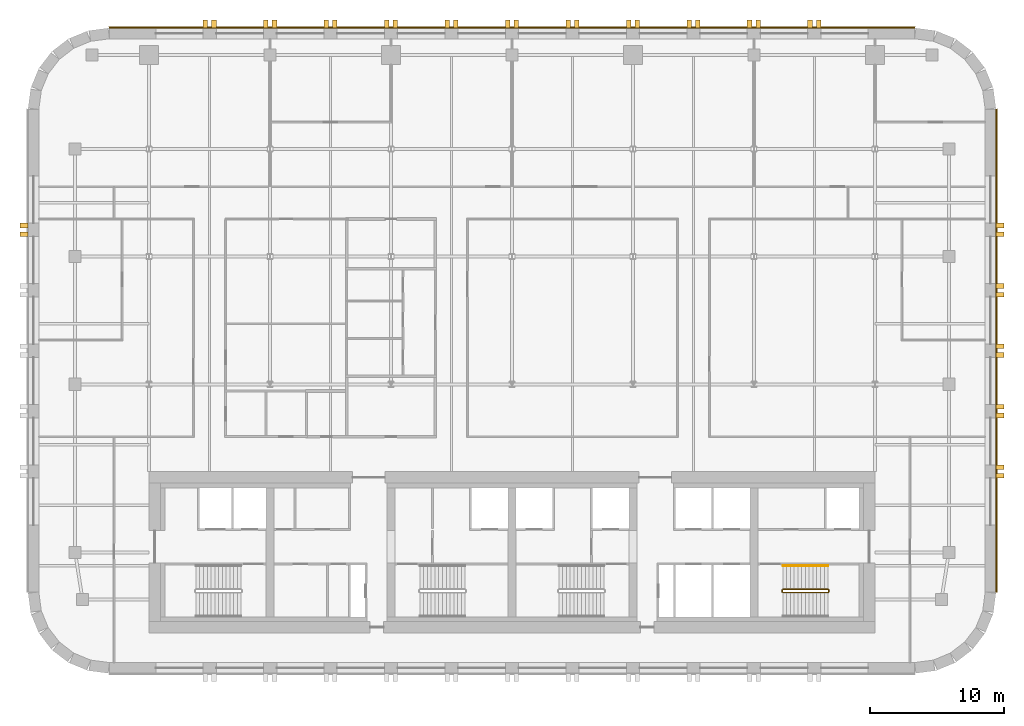
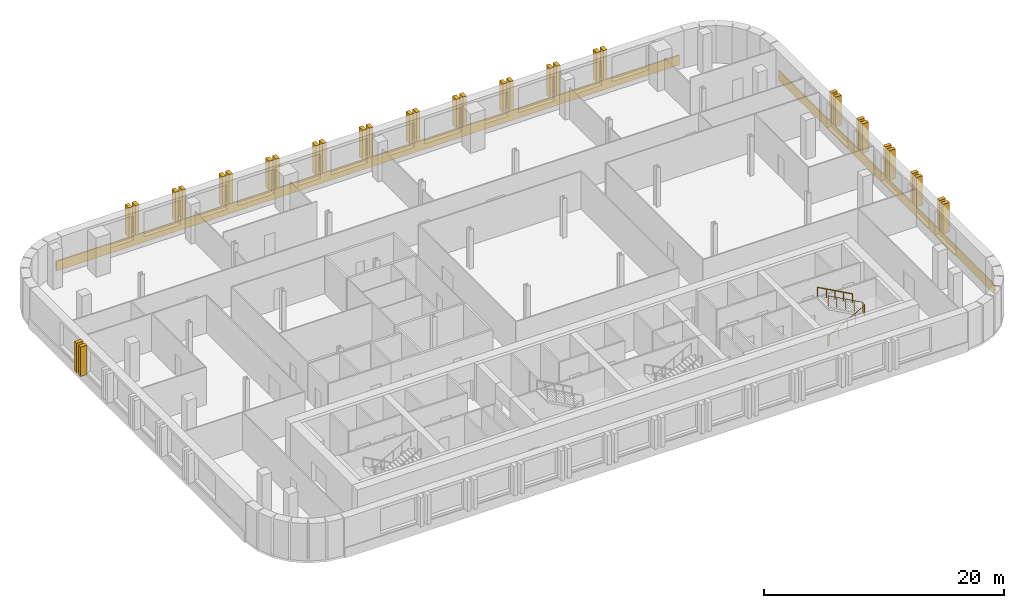
# One storey, part 10 of 10: 36 coverings, 2 railings.
"""IFC4 building model written with IfcOpenShell, lengths in metres."""

from ifc_helpers import new_model, si_unit, direction, frame, origin, origin_2d, place, context, subcontext, project, spatial, polyline, circle, outline, extrude, material, layer, layer_set, type_object, element, save


model = new_model("IFC4")

# Units and contexts
model_context = context("Model", 3, precision=1e-05, world=origin(), true_north=direction((0.0, 1.0)))
body_context = subcontext(model_context, "Body", "Model", "MODEL_VIEW")
ifc_project = project(units=[si_unit("LENGTHUNIT", "METRE"), si_unit("AREAUNIT", "SQUARE_METRE"), si_unit("VOLUMEUNIT", "CUBIC_METRE"), si_unit("PLANEANGLEUNIT", "RADIAN"), si_unit("MASSUNIT", "GRAM", prefix="KILO")], contexts=[model_context])

# Site, building, storey
site_placement = place(None, origin())
site = spatial("IfcSite", under=ifc_project, at=site_placement, CompositionType="ELEMENT")
building_placement = place(site_placement, origin())
building = spatial("IfcBuilding", under=site, at=building_placement, Name="Zellij Exchange Tower", CompositionType="ELEMENT")
storey_placement = place(building_placement, frame((0.0, 0.0, 168.5)))
storey = spatial("IfcBuildingStorey", under=building, at=storey_placement, Name="L38", CompositionType="ELEMENT", Elevation=168.5)

# Railings
ifc_material_1 = material(Name="Stainless steel", Category="steel")
railing_type_1 = type_object("IfcRailingType", Name="CORE-RG stair guard", PredefinedType="GUARDRAIL", material=ifc_material_1)
railing_1_placement = place(storey_placement, frame((20.10009765625, -10.949951171875, 0.0)))
element("IfcRailing", 1, at=railing_1_placement, inside=storey, type_object=railing_type_1, Name="ST4 stair guard L38", PredefinedType="GUARDRAIL", context=body_context, shape_type="SweptSolid", body=[
    extrude(circle(Radius=0.02392578125, at=origin_2d()), frame((0.0, 0.0, 1.076171875), z_axis=(0.0, 1.0, 0.0), x_axis=(-1.0, 0.0, 0.0)), (0.0, 0.0, 1.0), 0.14990234375),
    extrude(circle(Radius=0.02392578125, at=origin_2d()), frame((0.0, 0.14990234375, 1.076171875), z_axis=(0.193691321961, -0.777613689637, 0.598164376644), x_axis=(0.970351222016, 0.241699205484, 0.0)), (0.0, 0.0, 1.0), 0.257080078125),
    extrude(circle(Radius=0.02392578125, at=origin_2d()), frame((0.0498046875, -0.050048828125, 1.22998046875), z_axis=(0.876421534553, 0.0, 0.481544695509), x_axis=(0.0, 1.0, 0.0)), (0.0, 0.0, 1.0), 3.833984375),
    extrude(circle(Radius=0.02392578125, at=origin_2d()), frame((3.409912109375, -0.050048828125, 3.076171875), z_axis=(0.707106781187, 0.707106781187, 0.0), x_axis=(-0.707106781187, 0.707106781187, 0.0)), (0.0, 0.0, 1.0), 0.07080078125),
    extrude(circle(Radius=0.02392578125, at=origin_2d()), frame((3.4599609375, 0.0, 3.076171875), z_axis=(0.0, 1.0, 0.0), x_axis=(-1.0, 0.0, 0.0)), (0.0, 0.0, 1.0), 0.14990234375),
    extrude(circle(Radius=0.02392578125, at=origin_2d()), frame((3.4599609375, 0.14990234375, 3.076171875), z_axis=(-0.295599637079, 0.295599637079, 0.908428152975), x_axis=(-0.707106781187, -0.707106781187, 0.0)), (0.0, 0.0, 1.0), 0.16943359375),
    extrude(circle(Radius=0.02392578125, at=origin_2d()), frame((3.409912109375, 0.199951171875, 3.22998046875), z_axis=(-0.876421534553, 0.0, 0.481544695509), x_axis=(0.0, -1.0, 0.0)), (0.0, 0.0, 1.0), 3.833984375),
    extrude(circle(Radius=0.02099609375, at=origin_2d()), origin(), (0.0, 0.0, 1.0), 1.052001953125),
    extrude(circle(Radius=0.02099609375, at=origin_2d()), frame((0.0, 0.14990234375, 0.0)), (0.0, 0.0, 1.0), 1.052001953125),
    extrude(circle(Radius=0.02099609375, at=origin_2d()), frame((0.0498046875, -0.050048828125, 0.15380859375)), (0.0, 0.0, 1.0), 1.052001953125),
    extrude(circle(Radius=0.02099609375, at=origin_2d()), frame((0.889892578125, -0.050048828125, 0.615234375)), (0.0, 0.0, 1.0), 1.052001953125),
    extrude(circle(Radius=0.02099609375, at=origin_2d()), frame((1.72998046875, -0.050048828125, 1.076904296875)), (0.0, 0.0, 1.0), 1.052001953125),
    extrude(circle(Radius=0.02099609375, at=origin_2d()), frame((2.56982421875, -0.050048828125, 1.53857421875)), (0.0, 0.0, 1.0), 1.052001953125),
    extrude(circle(Radius=0.02099609375, at=origin_2d()), frame((3.409912109375, -0.050048828125, 2.0)), (0.0, 0.0, 1.0), 1.052001953125),
    extrude(circle(Radius=0.02099609375, at=origin_2d()), frame((3.4599609375, 0.0, 2.0)), (0.0, 0.0, 1.0), 1.052001953125),
    extrude(circle(Radius=0.02099609375, at=origin_2d()), frame((3.4599609375, 0.14990234375, 2.0)), (0.0, 0.0, 1.0), 1.052001953125),
    extrude(circle(Radius=0.02099609375, at=origin_2d()), frame((3.409912109375, 0.199951171875, 2.15380859375)), (0.0, 0.0, 1.0), 1.052001953125),
    extrude(circle(Radius=0.02099609375, at=origin_2d()), frame((2.56982421875, 0.199951171875, 2.615234375)), (0.0, 0.0, 1.0), 1.052001953125),
    extrude(circle(Radius=0.02099609375, at=origin_2d()), frame((1.72998046875, 0.199951171875, 3.076904296875)), (0.0, 0.0, 1.0), 1.052001953125),
    extrude(circle(Radius=0.02099609375, at=origin_2d()), frame((0.889892578125, 0.199951171875, 3.53857421875)), (0.0, 0.0, 1.0), 1.052001953125),
    extrude(circle(Radius=0.02099609375, at=origin_2d()), frame((0.0498046875, 0.199951171875, 4.0)), (0.0, 0.0, 1.0), 1.052001953125),
])
railing_type_2 = type_object("IfcRailingType", Name="CORE-RH stair handrail", PredefinedType="HANDRAIL", material=ifc_material_1)
railing_2_placement = place(storey_placement, frame((23.510009765625, -9.0, 2.15380859375)))
element("IfcRailing", 2, at=railing_2_placement, inside=storey, type_object=railing_type_2, Name="ST4 stair handrail L38", PredefinedType="HANDRAIL", context=body_context, shape_type="SweptSolid", body=[
    extrude(circle(Radius=0.02392578125, at=origin_2d()), frame((0.0, 0.0, 0.8759765625), z_axis=(-0.876421534553, 0.0, 0.481544695509), x_axis=(0.0, -1.0, 0.0)), (0.0, 0.0, 1.0), 3.833984375),
    extrude(circle(Radius=0.02099609375, at=origin_2d()), origin(), (0.0, 0.0, 1.0), 0.851806640625),
    extrude(circle(Radius=0.02099609375, at=origin_2d()), frame((-0.840087890625, 0.0, 0.46142578125)), (0.0, 0.0, 1.0), 0.851806640625),
    extrude(circle(Radius=0.02099609375, at=origin_2d()), frame((-1.68017578125, 0.0, 0.923095703125)), (0.0, 0.0, 1.0), 0.851806640625),
    extrude(circle(Radius=0.02099609375, at=origin_2d()), frame((-2.52001953125, 0.0, 1.384765625)), (0.0, 0.0, 1.0), 0.851806640625),
    extrude(circle(Radius=0.02099609375, at=origin_2d()), frame((-3.360107421875, 0.0, 1.84619140625)), (0.0, 0.0, 1.0), 0.851806640625),
])

# Coverings
ifc_material_2 = material(Name="Limestone cladding", Category="masonry")
covering_type_1 = type_object("IfcCoveringType", Name="ENV-CV3 Stone pier 350x600", PredefinedType="CLADDING", material=ifc_material_2)
covering_1_placement = place(storey_placement, frame((0.0, 0.0, 0.800048828125)))
element("IfcCovering", 3, at=covering_1_placement, inside=storey, type_object=covering_type_1, Name="Stone pier", PredefinedType="CLADDING", context=body_context, shape_type="SweptSolid", body=[
    extrude(outline(polyline([(36.0, -2.48681640625), (36.0, -2.136962890625), (36.60009765625, -2.136962890625), (36.60009765625, -2.48681640625), (36.0, -2.48681640625)])), origin(), (0.0, 0.0, 1.0), 3.0),
])
covering_2_placement = place(storey_placement, frame((0.0, 0.0, 0.800048828125)))
element("IfcCovering", 4, at=covering_2_placement, inside=storey, type_object=covering_type_1, Name="Stone pier", PredefinedType="CLADDING", context=body_context, shape_type="SweptSolid", body=[
    extrude(outline(polyline([(36.0, -1.8369140625), (36.0, -1.48681640625), (36.60009765625, -1.48681640625), (36.60009765625, -1.8369140625), (36.0, -1.8369140625)])), origin(), (0.0, 0.0, 1.0), 3.0),
])
covering_3_placement = place(storey_placement, frame((0.0, 0.0, 0.800048828125)))
element("IfcCovering", 5, at=covering_3_placement, inside=storey, type_object=covering_type_1, Name="Stone pier", PredefinedType="CLADDING", context=body_context, shape_type="SweptSolid", body=[
    extrude(outline(polyline([(36.0, 2.006591796875), (36.0, 2.3564453125), (36.60009765625, 2.3564453125), (36.60009765625, 2.006591796875), (36.0, 2.006591796875)])), origin(), (0.0, 0.0, 1.0), 3.0),
])
covering_4_placement = place(storey_placement, frame((0.0, 0.0, 0.800048828125)))
element("IfcCovering", 6, at=covering_4_placement, inside=storey, type_object=covering_type_1, Name="Stone pier", PredefinedType="CLADDING", context=body_context, shape_type="SweptSolid", body=[
    extrude(outline(polyline([(36.0, 2.656494140625), (36.0, 3.006591796875), (36.60009765625, 3.006591796875), (36.60009765625, 2.656494140625), (36.0, 2.656494140625)])), origin(), (0.0, 0.0, 1.0), 3.0),
])
covering_5_placement = place(storey_placement, frame((0.0, 0.0, 0.800048828125)))
element("IfcCovering", 7, at=covering_5_placement, inside=storey, type_object=covering_type_1, Name="Stone pier", PredefinedType="CLADDING", context=body_context, shape_type="SweptSolid", body=[
    extrude(outline(polyline([(36.0, 6.5), (36.0, 6.85009765625), (36.60009765625, 6.85009765625), (36.60009765625, 6.5), (36.0, 6.5)])), origin(), (0.0, 0.0, 1.0), 3.0),
])
covering_6_placement = place(storey_placement, frame((0.0, 0.0, 0.800048828125)))
element("IfcCovering", 8, at=covering_6_placement, inside=storey, type_object=covering_type_1, Name="Stone pier", PredefinedType="CLADDING", context=body_context, shape_type="SweptSolid", body=[
    extrude(outline(polyline([(36.0, 7.14990234375), (36.0, 7.5), (36.60009765625, 7.5), (36.60009765625, 7.14990234375), (36.0, 7.14990234375)])), origin(), (0.0, 0.0, 1.0), 3.0),
])
covering_7_placement = place(storey_placement, frame((0.0, 0.0, 0.800048828125)))
element("IfcCovering", 9, at=covering_7_placement, inside=storey, type_object=covering_type_1, Name="Stone pier", PredefinedType="CLADDING", context=body_context, shape_type="SweptSolid", body=[
    extrude(outline(polyline([(36.0, 10.993408203125), (36.0, 11.343505859375), (36.60009765625, 11.343505859375), (36.60009765625, 10.993408203125), (36.0, 10.993408203125)])), origin(), (0.0, 0.0, 1.0), 3.0),
])
covering_8_placement = place(storey_placement, frame((0.0, 0.0, 0.800048828125)))
element("IfcCovering", 10, at=covering_8_placement, inside=storey, type_object=covering_type_1, Name="Stone pier", PredefinedType="CLADDING", context=body_context, shape_type="SweptSolid", body=[
    extrude(outline(polyline([(36.0, 11.643310546875), (36.0, 11.993408203125), (36.60009765625, 11.993408203125), (36.60009765625, 11.643310546875), (36.0, 11.643310546875)])), origin(), (0.0, 0.0, 1.0), 3.0),
])
covering_9_placement = place(storey_placement, frame((0.0, 0.0, 0.800048828125)))
element("IfcCovering", 11, at=covering_9_placement, inside=storey, type_object=covering_type_1, Name="Stone pier", PredefinedType="CLADDING", context=body_context, shape_type="SweptSolid", body=[
    extrude(outline(polyline([(36.0, 15.48681640625), (36.0, 15.8369140625), (36.60009765625, 15.8369140625), (36.60009765625, 15.48681640625), (36.0, 15.48681640625)])), origin(), (0.0, 0.0, 1.0), 3.0),
])
covering_10_placement = place(storey_placement, frame((0.0, 0.0, 0.800048828125)))
element("IfcCovering", 12, at=covering_10_placement, inside=storey, type_object=covering_type_1, Name="Stone pier", PredefinedType="CLADDING", context=body_context, shape_type="SweptSolid", body=[
    extrude(outline(polyline([(36.0, 16.136962890625), (36.0, 16.48681640625), (36.60009765625, 16.48681640625), (36.60009765625, 16.136962890625), (36.0, 16.136962890625)])), origin(), (0.0, 0.0, 1.0), 3.0),
])
covering_11_placement = place(storey_placement, frame((0.0, 0.0, 0.800048828125)))
element("IfcCovering", 13, at=covering_11_placement, inside=storey, type_object=covering_type_1, Name="Stone pier", PredefinedType="CLADDING", context=body_context, shape_type="SweptSolid", body=[
    extrude(outline(polyline([(23.0, 31.0), (22.64990234375, 31.0), (22.64990234375, 31.60009765625), (23.0, 31.60009765625), (23.0, 31.0)])), origin(), (0.0, 0.0, 1.0), 3.0),
])
covering_12_placement = place(storey_placement, frame((0.0, 0.0, 0.800048828125)))
element("IfcCovering", 14, at=covering_12_placement, inside=storey, type_object=covering_type_1, Name="Stone pier", PredefinedType="CLADDING", context=body_context, shape_type="SweptSolid", body=[
    extrude(outline(polyline([(22.35009765625, 31.0), (22.0, 31.0), (22.0, 31.60009765625), (22.35009765625, 31.60009765625), (22.35009765625, 31.0)])), origin(), (0.0, 0.0, 1.0), 3.0),
])
covering_13_placement = place(storey_placement, frame((0.0, 0.0, 0.800048828125)))
element("IfcCovering", 15, at=covering_13_placement, inside=storey, type_object=covering_type_1, Name="Stone pier", PredefinedType="CLADDING", context=body_context, shape_type="SweptSolid", body=[
    extrude(outline(polyline([(18.5, 31.0), (18.14990234375, 31.0), (18.14990234375, 31.60009765625), (18.5, 31.60009765625), (18.5, 31.0)])), origin(), (0.0, 0.0, 1.0), 3.0),
])
covering_14_placement = place(storey_placement, frame((0.0, 0.0, 0.800048828125)))
element("IfcCovering", 16, at=covering_14_placement, inside=storey, type_object=covering_type_1, Name="Stone pier", PredefinedType="CLADDING", context=body_context, shape_type="SweptSolid", body=[
    extrude(outline(polyline([(17.85009765625, 31.0), (17.5, 31.0), (17.5, 31.60009765625), (17.85009765625, 31.60009765625), (17.85009765625, 31.0)])), origin(), (0.0, 0.0, 1.0), 3.0),
])
covering_15_placement = place(storey_placement, frame((0.0, 0.0, 0.800048828125)))
element("IfcCovering", 17, at=covering_15_placement, inside=storey, type_object=covering_type_1, Name="Stone pier", PredefinedType="CLADDING", context=body_context, shape_type="SweptSolid", body=[
    extrude(outline(polyline([(14.0, 31.0), (13.64990234375, 31.0), (13.64990234375, 31.60009765625), (14.0, 31.60009765625), (14.0, 31.0)])), origin(), (0.0, 0.0, 1.0), 3.0),
])
covering_16_placement = place(storey_placement, frame((0.0, 0.0, 0.800048828125)))
element("IfcCovering", 18, at=covering_16_placement, inside=storey, type_object=covering_type_1, Name="Stone pier", PredefinedType="CLADDING", context=body_context, shape_type="SweptSolid", body=[
    extrude(outline(polyline([(13.35009765625, 31.0), (13.0, 31.0), (13.0, 31.60009765625), (13.35009765625, 31.60009765625), (13.35009765625, 31.0)])), origin(), (0.0, 0.0, 1.0), 3.0),
])
covering_17_placement = place(storey_placement, frame((0.0, 0.0, 0.800048828125)))
element("IfcCovering", 19, at=covering_17_placement, inside=storey, type_object=covering_type_1, Name="Stone pier", PredefinedType="CLADDING", context=body_context, shape_type="SweptSolid", body=[
    extrude(outline(polyline([(9.5, 31.0), (9.14990234375, 31.0), (9.14990234375, 31.60009765625), (9.5, 31.60009765625), (9.5, 31.0)])), origin(), (0.0, 0.0, 1.0), 3.0),
])
covering_18_placement = place(storey_placement, frame((0.0, 0.0, 0.800048828125)))
element("IfcCovering", 20, at=covering_18_placement, inside=storey, type_object=covering_type_1, Name="Stone pier", PredefinedType="CLADDING", context=body_context, shape_type="SweptSolid", body=[
    extrude(outline(polyline([(8.85009765625, 31.0), (8.5, 31.0), (8.5, 31.60009765625), (8.85009765625, 31.60009765625), (8.85009765625, 31.0)])), origin(), (0.0, 0.0, 1.0), 3.0),
])
covering_19_placement = place(storey_placement, frame((0.0, 0.0, 0.800048828125)))
element("IfcCovering", 21, at=covering_19_placement, inside=storey, type_object=covering_type_1, Name="Stone pier", PredefinedType="CLADDING", context=body_context, shape_type="SweptSolid", body=[
    extrude(outline(polyline([(5.0, 31.0), (4.64990234375, 31.0), (4.64990234375, 31.60009765625), (5.0, 31.60009765625), (5.0, 31.0)])), origin(), (0.0, 0.0, 1.0), 3.0),
])
covering_20_placement = place(storey_placement, frame((0.0, 0.0, 0.800048828125)))
element("IfcCovering", 22, at=covering_20_placement, inside=storey, type_object=covering_type_1, Name="Stone pier", PredefinedType="CLADDING", context=body_context, shape_type="SweptSolid", body=[
    extrude(outline(polyline([(4.35009765625, 31.0), (4.0, 31.0), (4.0, 31.60009765625), (4.35009765625, 31.60009765625), (4.35009765625, 31.0)])), origin(), (0.0, 0.0, 1.0), 3.0),
])
covering_21_placement = place(storey_placement, frame((0.0, 0.0, 0.800048828125)))
element("IfcCovering", 23, at=covering_21_placement, inside=storey, type_object=covering_type_1, Name="Stone pier", PredefinedType="CLADDING", context=body_context, shape_type="SweptSolid", body=[
    extrude(outline(polyline([(0.5, 31.0), (0.14990234375, 31.0), (0.14990234375, 31.60009765625), (0.5, 31.60009765625), (0.5, 31.0)])), origin(), (0.0, 0.0, 1.0), 3.0),
])
covering_22_placement = place(storey_placement, frame((0.0, 0.0, 0.800048828125)))
element("IfcCovering", 24, at=covering_22_placement, inside=storey, type_object=covering_type_1, Name="Stone pier", PredefinedType="CLADDING", context=body_context, shape_type="SweptSolid", body=[
    extrude(outline(polyline([(-0.14990234375, 31.0), (-0.5, 31.0), (-0.5, 31.60009765625), (-0.14990234375, 31.60009765625), (-0.14990234375, 31.0)])), origin(), (0.0, 0.0, 1.0), 3.0),
])
covering_23_placement = place(storey_placement, frame((0.0, 0.0, 0.800048828125)))
element("IfcCovering", 25, at=covering_23_placement, inside=storey, type_object=covering_type_1, Name="Stone pier", PredefinedType="CLADDING", context=body_context, shape_type="SweptSolid", body=[
    extrude(outline(polyline([(-4.0, 31.0), (-4.35009765625, 31.0), (-4.35009765625, 31.60009765625), (-4.0, 31.60009765625), (-4.0, 31.0)])), origin(), (0.0, 0.0, 1.0), 3.0),
])
covering_24_placement = place(storey_placement, frame((0.0, 0.0, 0.800048828125)))
element("IfcCovering", 26, at=covering_24_placement, inside=storey, type_object=covering_type_1, Name="Stone pier", PredefinedType="CLADDING", context=body_context, shape_type="SweptSolid", body=[
    extrude(outline(polyline([(-4.64990234375, 31.0), (-5.0, 31.0), (-5.0, 31.60009765625), (-4.64990234375, 31.60009765625), (-4.64990234375, 31.0)])), origin(), (0.0, 0.0, 1.0), 3.0),
])
covering_25_placement = place(storey_placement, frame((0.0, 0.0, 0.800048828125)))
element("IfcCovering", 27, at=covering_25_placement, inside=storey, type_object=covering_type_1, Name="Stone pier", PredefinedType="CLADDING", context=body_context, shape_type="SweptSolid", body=[
    extrude(outline(polyline([(-8.5, 31.0), (-8.85009765625, 31.0), (-8.85009765625, 31.60009765625), (-8.5, 31.60009765625), (-8.5, 31.0)])), origin(), (0.0, 0.0, 1.0), 3.0),
])
covering_26_placement = place(storey_placement, frame((0.0, 0.0, 0.800048828125)))
element("IfcCovering", 28, at=covering_26_placement, inside=storey, type_object=covering_type_1, Name="Stone pier", PredefinedType="CLADDING", context=body_context, shape_type="SweptSolid", body=[
    extrude(outline(polyline([(-9.14990234375, 31.0), (-9.5, 31.0), (-9.5, 31.60009765625), (-9.14990234375, 31.60009765625), (-9.14990234375, 31.0)])), origin(), (0.0, 0.0, 1.0), 3.0),
])
covering_27_placement = place(storey_placement, frame((0.0, 0.0, 0.800048828125)))
element("IfcCovering", 29, at=covering_27_placement, inside=storey, type_object=covering_type_1, Name="Stone pier", PredefinedType="CLADDING", context=body_context, shape_type="SweptSolid", body=[
    extrude(outline(polyline([(-13.0, 31.0), (-13.35009765625, 31.0), (-13.35009765625, 31.60009765625), (-13.0, 31.60009765625), (-13.0, 31.0)])), origin(), (0.0, 0.0, 1.0), 3.0),
])
covering_28_placement = place(storey_placement, frame((0.0, 0.0, 0.800048828125)))
element("IfcCovering", 30, at=covering_28_placement, inside=storey, type_object=covering_type_1, Name="Stone pier", PredefinedType="CLADDING", context=body_context, shape_type="SweptSolid", body=[
    extrude(outline(polyline([(-13.64990234375, 31.0), (-14.0, 31.0), (-14.0, 31.60009765625), (-13.64990234375, 31.60009765625), (-13.64990234375, 31.0)])), origin(), (0.0, 0.0, 1.0), 3.0),
])
covering_29_placement = place(storey_placement, frame((0.0, 0.0, 0.800048828125)))
element("IfcCovering", 31, at=covering_29_placement, inside=storey, type_object=covering_type_1, Name="Stone pier", PredefinedType="CLADDING", context=body_context, shape_type="SweptSolid", body=[
    extrude(outline(polyline([(-17.5, 31.0), (-17.85009765625, 31.0), (-17.85009765625, 31.60009765625), (-17.5, 31.60009765625), (-17.5, 31.0)])), origin(), (0.0, 0.0, 1.0), 3.0),
])
covering_30_placement = place(storey_placement, frame((0.0, 0.0, 0.800048828125)))
element("IfcCovering", 32, at=covering_30_placement, inside=storey, type_object=covering_type_1, Name="Stone pier", PredefinedType="CLADDING", context=body_context, shape_type="SweptSolid", body=[
    extrude(outline(polyline([(-18.14990234375, 31.0), (-18.5, 31.0), (-18.5, 31.60009765625), (-18.14990234375, 31.60009765625), (-18.14990234375, 31.0)])), origin(), (0.0, 0.0, 1.0), 3.0),
])
covering_31_placement = place(storey_placement, frame((0.0, 0.0, 0.800048828125)))
element("IfcCovering", 33, at=covering_31_placement, inside=storey, type_object=covering_type_1, Name="Stone pier", PredefinedType="CLADDING", context=body_context, shape_type="SweptSolid", body=[
    extrude(outline(polyline([(-22.0, 31.0), (-22.35009765625, 31.0), (-22.35009765625, 31.60009765625), (-22.0, 31.60009765625), (-22.0, 31.0)])), origin(), (0.0, 0.0, 1.0), 3.0),
])
covering_32_placement = place(storey_placement, frame((0.0, 0.0, 0.800048828125)))
element("IfcCovering", 34, at=covering_32_placement, inside=storey, type_object=covering_type_1, Name="Stone pier", PredefinedType="CLADDING", context=body_context, shape_type="SweptSolid", body=[
    extrude(outline(polyline([(-22.64990234375, 31.0), (-23.0, 31.0), (-23.0, 31.60009765625), (-22.64990234375, 31.60009765625), (-22.64990234375, 31.0)])), origin(), (0.0, 0.0, 1.0), 3.0),
])
covering_33_placement = place(storey_placement, frame((0.0, 0.0, 0.800048828125)))
element("IfcCovering", 35, at=covering_33_placement, inside=storey, type_object=covering_type_1, Name="Stone pier", PredefinedType="CLADDING", context=body_context, shape_type="SweptSolid", body=[
    extrude(outline(polyline([(-36.0, 16.48681640625), (-36.0, 16.136962890625), (-36.60009765625, 16.136962890625), (-36.60009765625, 16.48681640625), (-36.0, 16.48681640625)])), origin(), (0.0, 0.0, 1.0), 3.0),
])
covering_34_placement = place(storey_placement, frame((0.0, 0.0, 0.800048828125)))
element("IfcCovering", 36, at=covering_34_placement, inside=storey, type_object=covering_type_1, Name="Stone pier", PredefinedType="CLADDING", context=body_context, shape_type="SweptSolid", body=[
    extrude(outline(polyline([(-36.0, 15.8369140625), (-36.0, 15.48681640625), (-36.60009765625, 15.48681640625), (-36.60009765625, 15.8369140625), (-36.0, 15.8369140625)])), origin(), (0.0, 0.0, 1.0), 3.0),
])
ifc_layer = layer(ifc_material_2, 0.10009765625)
ifc_layer_set = layer_set([ifc_layer], Name="Limestone cladding")
covering_type_2 = type_object("IfcCoveringType", Name="ENV-CV9 Stone spandrel band 100", PredefinedType="CLADDING", material=ifc_layer_set)
covering_35_placement = place(storey_placement, frame((0.0, 0.0, -0.199951171875)))
element("IfcCovering", 37, at=covering_35_placement, inside=storey, type_object=covering_type_2, Name="Stone spandrel band", PredefinedType="CLADDING", context=body_context, shape_type="SweptSolid", body=[
    extrude(outline(polyline([(36.0, -10.973876953125), (36.0, 24.973876953125), (36.10009765625, 24.980224609375), (36.10009765625, -10.980224609375), (36.0, -10.973876953125)])), origin(), (0.0, 0.0, 1.0), 1.0),
])
covering_36_placement = place(storey_placement, frame((0.0, 0.0, -0.199951171875)))
element("IfcCovering", 38, at=covering_36_placement, inside=storey, type_object=covering_type_2, Name="Stone spandrel band", PredefinedType="CLADDING", context=body_context, shape_type="SweptSolid", body=[
    extrude(outline(polyline([(29.973876953125, 31.0), (-29.973876953125, 31.0), (-29.980224609375, 31.10009765625), (29.980224609375, 31.10009765625), (29.973876953125, 31.0)])), origin(), (0.0, 0.0, 1.0), 1.0),
])

save(model, "model.ifc")
